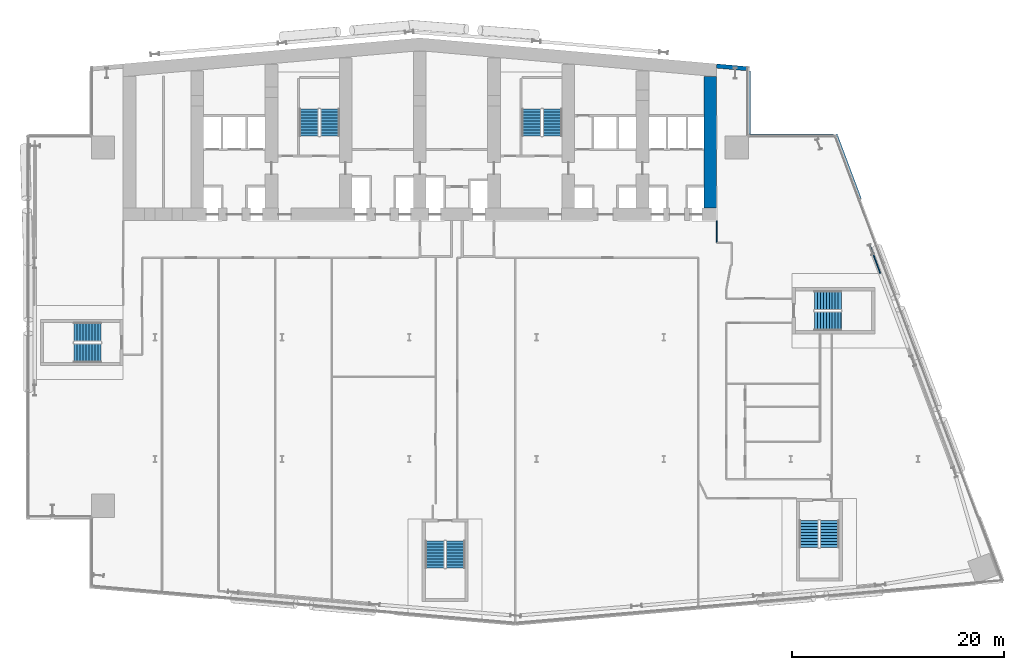
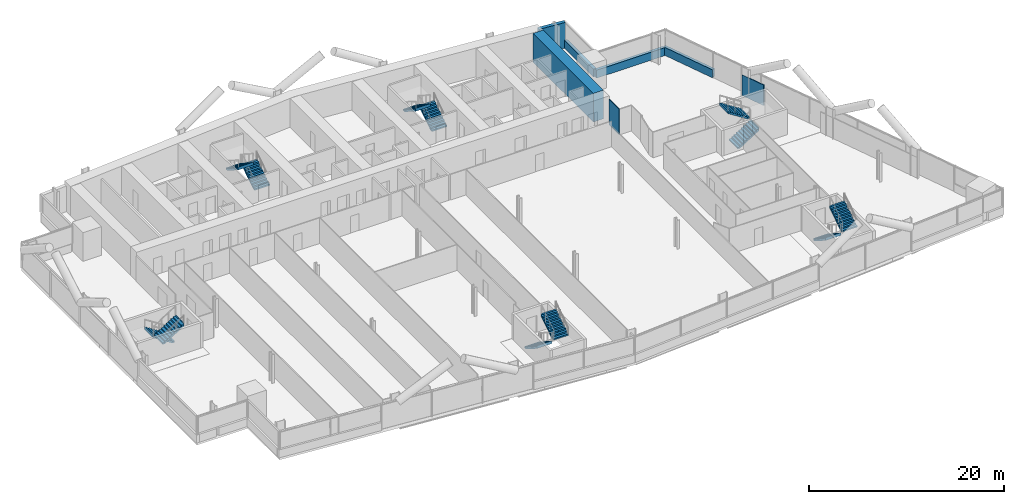
# One storey, part 17 of 24: 12 stair flights, 7 walls, 6 elements without a shape of their own.
"""IFC4 building model written with IfcOpenShell, lengths in metres."""

from ifc_helpers import new_model, si_unit, direction, frame, frame_2d, origin, place, context, subcontext, project, spatial, polyline, rectangle, outline, extrude, material, layer, layer_set, type_object, element, aggregate, save


model = new_model("IFC4")

# Units and contexts
model_context = context("Model", 3, precision=1e-05, world=origin(), true_north=direction((0.0, 1.0)))
body_context = subcontext(model_context, "Body", "Model", "MODEL_VIEW")
ifc_project = project(units=[si_unit("LENGTHUNIT", "METRE"), si_unit("AREAUNIT", "SQUARE_METRE"), si_unit("VOLUMEUNIT", "CUBIC_METRE"), si_unit("PLANEANGLEUNIT", "RADIAN"), si_unit("MASSUNIT", "GRAM", prefix="KILO")], contexts=[model_context])

# Site, building, storey
site_placement = place(None, origin())
site = spatial("IfcSite", under=ifc_project, at=site_placement, CompositionType="ELEMENT")
building_placement = place(site_placement, origin())
building = spatial("IfcBuilding", under=site, at=building_placement, Name="Wharfspan Tower", CompositionType="ELEMENT")
storey_placement = place(building_placement, frame((0.0, 0.0, 66.699951)))
storey = spatial("IfcBuildingStorey", under=building, at=storey_placement, Name="L13", CompositionType="ELEMENT", Elevation=66.699951)

# Walls
ifc_material_1 = material(Name="Gypsum board on steel studs", Category="steel")
ifc_layer_1 = layer(ifc_material_1, 0.100098)
ifc_layer_set_1 = layer_set([ifc_layer_1], Name="Gypsum board on steel studs")
wall_type_1 = type_object("IfcWallType", Name="Compartment wall 100 EI 60", PredefinedType="PARTITIONING", material=ifc_layer_set_1)
wall_1_placement = place(storey_placement, frame((65.0, 31.925049, 0.0), z_axis=(0.0, 0.0, 1.0), x_axis=(0.0, 1.0, 0.0)))
element("IfcWall", 1, at=wall_1_placement, inside=storey, type_object=wall_type_1, Name="Partition L13.w023", PredefinedType="PARTITIONING", context=body_context, shape_type="SweptSolid", body=[
    extrude(rectangle(XDim=2.054932, YDim=0.100098, at=frame_2d((1.027344, 0.0))), origin(), (0.0, 0.0, 1.0), 3.199951),
])
ifc_material_2 = material(Name="Concrete C70/85", Category="concrete")
ifc_layer_2 = layer(ifc_material_2, 1.199951)
ifc_layer_set_2 = layer_set([ifc_layer_2], Name="Concrete C70/85")
wall_type_2 = type_object("IfcWallType", Name="Core wall 1200 C70/85", PredefinedType="SHEAR", material=ifc_layer_set_2)
wall_2_placement = place(storey_placement, frame((64.399902, 35.199951, 0.0), z_axis=(0.0, 0.0, 1.0), x_axis=(0.0, 1.0, 0.0)))
element("IfcWall", 2, at=wall_2_placement, inside=storey, type_object=wall_type_2, Name="Core cross wall EW1 L13", PredefinedType="SHEAR", context=body_context, shape_type="SweptSolid", body=[
    extrude(rectangle(XDim=12.382812, YDim=1.199951, at=frame_2d((6.191406, 0.0))), origin(), (0.0, 0.0, 1.0), 3.600098),
])
ifc_layer_3 = layer(ifc_material_1, 0.100098)
ifc_layer_set_3 = layer_set([ifc_layer_3], Name="Gypsum board on steel studs")
wall_type_3 = type_object("IfcWallType", Name="Partition 100", PredefinedType="PARTITIONING", material=ifc_layer_set_3)
wall_3_placement = place(storey_placement, frame((80.44751, 29.02002, 0.0), z_axis=(0.0, 0.0, 1.0), x_axis=(-0.35129, 0.93627, 0.0)))
element("IfcWall", 3, at=wall_3_placement, inside=storey, type_object=wall_type_3, Name="Partition L13.w044", PredefinedType="PARTITIONING", context=body_context, shape_type="SweptSolid", body=[
    extrude(rectangle(XDim=2.910645, YDim=0.100098, at=frame_2d((1.455322, 0.0))), origin(), (0.0, 0.0, 1.0), 2.580078),
])
ifc_material_3 = material(Name="Concrete C40/50", Category="concrete")
ifc_layer_4 = layer(ifc_material_3, 0.350098)
ifc_layer_set_4 = layer_set([ifc_layer_4], Name="Concrete C40/50")
wall_type_4 = type_object("IfcWallType", Name="SPANDREL EXPOSED CONCRETE 350", PredefinedType="SOLIDWALL", material=ifc_layer_set_4)
wall_4_placement = place(storey_placement, frame((78.494141, 36.029785, 0.0), z_axis=(0.0, 0.0, 1.0), x_axis=(-0.351108, 0.936338, 0.0)))
element("IfcWall", 4, at=wall_4_placement, inside=storey, type_object=wall_type_4, Name="Spandrel upstand L13 E 2", PredefinedType="SOLIDWALL", context=body_context, shape_type="SweptSolid", body=[
    extrude(rectangle(XDim=6.50293, YDim=0.350098, at=frame_2d((3.251465, 0.0))), origin(), (0.0, 0.0, 1.0), 1.0),
])
wall_5_placement = place(storey_placement, frame((76.047119, 42.004883, 0.0), z_axis=(0.0, 0.0, 1.0), x_axis=(-1.0, 0.0, 0.0)))
element("IfcWall", 5, at=wall_5_placement, inside=storey, type_object=wall_type_4, Name="Spandrel upstand L13 NRE-H", PredefinedType="SOLIDWALL", context=body_context, shape_type="SweptSolid", body=[
    extrude(rectangle(XDim=8.047119, YDim=0.350098, at=frame_2d((4.023438, 0.0))), origin(), (0.0, 0.0, 1.0), 1.0),
])
wall_6_placement = place(storey_placement, frame((68.004883, 42.179932, 0.0), z_axis=(0.0, 0.0, 1.0), x_axis=(0.0, 1.0, 0.0)))
element("IfcWall", 6, at=wall_6_placement, inside=storey, type_object=wall_type_4, Name="Spandrel upstand L13 NRE-V", PredefinedType="SOLIDWALL", context=body_context, shape_type="SweptSolid", body=[
    extrude(rectangle(XDim=5.946533, YDim=0.350098, at=frame_2d((2.973145, 0.0))), origin(), (0.0, 0.0, 1.0), 1.0),
])
ifc_layer_5 = layer(ifc_material_3, 0.399902)
ifc_layer_set_5 = layer_set([ifc_layer_5], Name="Concrete C40/50")
wall_type_5 = type_object("IfcWallType", Name="WALL EXPOSED CONCRETE 400", PredefinedType="SOLIDWALL", material=ifc_layer_set_5)
wall_7_placement = place(storey_placement, frame((67.982666, 48.325684, 0.0), z_axis=(0.0, 0.0, 1.0), x_axis=(-0.996194, 0.087168, 0.0)))
element("IfcWall", 7, at=wall_7_placement, inside=storey, type_object=wall_type_5, Name="Rear wall N2", PredefinedType="SOLIDWALL", context=body_context, shape_type="SweptSolid", body=[
    extrude(rectangle(XDim=2.994141, YDim=0.399902, at=frame_2d((1.49707, 0.0))), origin(), (0.0, 0.0, 1.0), 3.199951),
])

# Stair, stair flights
stair_type = type_object("IfcStairType", Name="Half-turn stair 20 risers 180 mm", PredefinedType="HALF_TURN_STAIR", material=ifc_material_3)
stair_1_placement = place(storey_placement, origin())
stair_1 = element("IfcStair", 8, at=stair_1_placement, inside=storey, type_object=stair_type, Name="L13 stair ST1", PredefinedType="HALF_TURN_STAIR")
stair_flight_type = type_object("IfcStairFlightType", Name="Stair flight 20 risers 180 mm", PredefinedType="STRAIGHT", material=ifc_material_3)
stair_flight_1_placement = place(storey_placement, frame((28.5, 42.0, 0.0), z_axis=(0.0, 0.0, 1.0), x_axis=(0.0, 1.0, 0.0)))
stair_flight_1 = element("IfcStairFlight", 9, at=stair_flight_1_placement, type_object=stair_flight_type, Name="ST1 flight 1", NumberOfRisers=10, NumberOfTreads=9, PredefinedType="STRAIGHT", RiserHeight=0.18, TreadLength=0.28, context=body_context, shape_type="SweptSolid", body=[
    extrude(outline(polyline([(-0.011963, 0.0), (-0.011963, 0.179932), (0.0, 0.179932), (0.280029, 0.179932), (0.280029, 0.360107), (0.560059, 0.360107), (0.560059, 0.540039), (0.840088, 0.540039), (0.840088, 0.719971), (1.120117, 0.719971), (1.120117, 0.899902), (1.399902, 0.899902), (1.399902, 1.080078), (1.679932, 1.080078), (1.679932, 1.26001), (1.959961, 1.26001), (1.959961, 1.439941), (2.23999, 1.439941), (2.23999, 1.620117), (2.52002, 1.620117), (2.531982, 1.800049), (2.531982, 1.441895), (0.2771, 0.0), (-0.011963, 0.0)])), frame((0.0, 0.899902, 0.0), z_axis=(0.0, -1.0, 0.0), x_axis=(1.0, 0.0, 0.0)), (0.0, 0.0, 1.0), 0.899414),
    extrude(outline(polyline([(-0.011963, 0.0), (-0.011963, 0.179932), (0.0, 0.179932), (0.280029, 0.179932), (0.280029, 0.360107), (0.560059, 0.360107), (0.560059, 0.540039), (0.840088, 0.540039), (0.840088, 0.719971), (1.120117, 0.719971), (1.120117, 0.899902), (1.399902, 0.899902), (1.399902, 1.080078), (1.679932, 1.080078), (1.679932, 1.26001), (1.959961, 1.26001), (1.959961, 1.439941), (2.23999, 1.439941), (2.23999, 1.620117), (2.52002, 1.620117), (2.531982, 1.800049), (2.531982, 1.441895), (0.2771, 0.0), (-0.011963, 0.0)])), frame((0.0, -0.000488, 0.0), z_axis=(0.0, -1.0, 0.0), x_axis=(1.0, 0.0, 0.0)), (0.0, 0.0, 1.0), 0.899414),
])
stair_flight_2_placement = place(storey_placement, frame((26.550049, 44.52002, 1.800049), z_axis=(0.0, 0.0, 1.0), x_axis=(0.0, -1.0, 0.0)))
stair_flight_2 = element("IfcStairFlight", 10, at=stair_flight_2_placement, type_object=stair_flight_type, Name="ST1 flight 2", NumberOfRisers=10, NumberOfTreads=9, PredefinedType="STRAIGHT", RiserHeight=0.18, TreadLength=0.28, context=body_context, shape_type="SweptSolid", body=[
    extrude(outline(polyline([(-0.011963, 0.0), (-0.011963, 0.179932), (0.0, 0.179932), (0.280029, 0.179932), (0.280029, 0.360107), (0.560059, 0.360107), (0.560059, 0.540039), (0.840088, 0.540039), (0.840088, 0.719971), (1.120117, 0.719971), (1.120117, 0.899902), (1.399902, 0.899902), (1.399902, 1.080078), (1.679932, 1.080078), (1.679932, 1.26001), (1.959961, 1.26001), (1.959961, 1.439941), (2.23999, 1.439941), (2.23999, 1.620117), (2.52002, 1.620117), (2.531982, 1.800049), (2.531982, 1.441895), (0.2771, 0.0), (-0.011963, 0.0)])), frame((0.0, 0.899902, 0.0), z_axis=(0.0, -1.0, 0.0), x_axis=(1.0, 0.0, 0.0)), (0.0, 0.0, 1.0), 0.899414),
    extrude(outline(polyline([(-0.011963, 0.0), (-0.011963, 0.179932), (0.0, 0.179932), (0.280029, 0.179932), (0.280029, 0.360107), (0.560059, 0.360107), (0.560059, 0.540039), (0.840088, 0.540039), (0.840088, 0.719971), (1.120117, 0.719971), (1.120117, 0.899902), (1.399902, 0.899902), (1.399902, 1.080078), (1.679932, 1.080078), (1.679932, 1.26001), (1.959961, 1.26001), (1.959961, 1.439941), (2.23999, 1.439941), (2.23999, 1.620117), (2.52002, 1.620117), (2.531982, 1.800049), (2.531982, 1.441895), (0.2771, 0.0), (-0.011963, 0.0)])), frame((0.0, -0.000488, 0.0), z_axis=(0.0, -1.0, 0.0), x_axis=(1.0, 0.0, 0.0)), (0.0, 0.0, 1.0), 0.899414),
])
aggregate(stair_1, [stair_flight_1, stair_flight_2])

stair_2_placement = place(storey_placement, origin())
stair_2 = element("IfcStair", 11, at=stair_2_placement, inside=storey, type_object=stair_type, Name="L13 stair ST2", PredefinedType="HALF_TURN_STAIR")
stair_flight_3_placement = place(storey_placement, frame((49.5, 42.0, 0.0), z_axis=(0.0, 0.0, 1.0), x_axis=(0.0, 1.0, 0.0)))
stair_flight_3 = element("IfcStairFlight", 12, at=stair_flight_3_placement, type_object=stair_flight_type, Name="ST2 flight 1", NumberOfRisers=10, NumberOfTreads=9, PredefinedType="STRAIGHT", RiserHeight=0.18, TreadLength=0.28, context=body_context, shape_type="SweptSolid", body=[
    extrude(outline(polyline([(-0.011963, 0.0), (-0.011963, 0.179932), (0.0, 0.179932), (0.280029, 0.179932), (0.280029, 0.360107), (0.560059, 0.360107), (0.560059, 0.540039), (0.840088, 0.540039), (0.840088, 0.719971), (1.120117, 0.719971), (1.120117, 0.899902), (1.399902, 0.899902), (1.399902, 1.080078), (1.679932, 1.080078), (1.679932, 1.26001), (1.959961, 1.26001), (1.959961, 1.439941), (2.23999, 1.439941), (2.23999, 1.620117), (2.52002, 1.620117), (2.531982, 1.800049), (2.531982, 1.441895), (0.2771, 0.0), (-0.011963, 0.0)])), frame((0.0, 0.899902, 0.0), z_axis=(0.0, -1.0, 0.0), x_axis=(1.0, 0.0, 0.0)), (0.0, 0.0, 1.0), 0.899414),
    extrude(outline(polyline([(-0.011963, 0.0), (-0.011963, 0.179932), (0.0, 0.179932), (0.280029, 0.179932), (0.280029, 0.360107), (0.560059, 0.360107), (0.560059, 0.540039), (0.840088, 0.540039), (0.840088, 0.719971), (1.120117, 0.719971), (1.120117, 0.899902), (1.399902, 0.899902), (1.399902, 1.080078), (1.679932, 1.080078), (1.679932, 1.26001), (1.959961, 1.26001), (1.959961, 1.439941), (2.23999, 1.439941), (2.23999, 1.620117), (2.52002, 1.620117), (2.531982, 1.800049), (2.531982, 1.441895), (0.2771, 0.0), (-0.011963, 0.0)])), frame((0.0, -0.000488, 0.0), z_axis=(0.0, -1.0, 0.0), x_axis=(1.0, 0.0, 0.0)), (0.0, 0.0, 1.0), 0.899414),
])
stair_flight_4_placement = place(storey_placement, frame((47.550049, 44.52002, 1.800049), z_axis=(0.0, 0.0, 1.0), x_axis=(0.0, -1.0, 0.0)))
stair_flight_4 = element("IfcStairFlight", 13, at=stair_flight_4_placement, type_object=stair_flight_type, Name="ST2 flight 2", NumberOfRisers=10, NumberOfTreads=9, PredefinedType="STRAIGHT", RiserHeight=0.18, TreadLength=0.28, context=body_context, shape_type="SweptSolid", body=[
    extrude(outline(polyline([(-0.011963, 0.0), (-0.011963, 0.179932), (0.0, 0.179932), (0.280029, 0.179932), (0.280029, 0.360107), (0.560059, 0.360107), (0.560059, 0.540039), (0.840088, 0.540039), (0.840088, 0.719971), (1.120117, 0.719971), (1.120117, 0.899902), (1.399902, 0.899902), (1.399902, 1.080078), (1.679932, 1.080078), (1.679932, 1.26001), (1.959961, 1.26001), (1.959961, 1.439941), (2.23999, 1.439941), (2.23999, 1.620117), (2.52002, 1.620117), (2.531982, 1.800049), (2.531982, 1.441895), (0.2771, 0.0), (-0.011963, 0.0)])), frame((0.0, 0.899902, 0.0), z_axis=(0.0, -1.0, 0.0), x_axis=(1.0, 0.0, 0.0)), (0.0, 0.0, 1.0), 0.899414),
    extrude(outline(polyline([(-0.011963, 0.0), (-0.011963, 0.179932), (0.0, 0.179932), (0.280029, 0.179932), (0.280029, 0.360107), (0.560059, 0.360107), (0.560059, 0.540039), (0.840088, 0.540039), (0.840088, 0.719971), (1.120117, 0.719971), (1.120117, 0.899902), (1.399902, 0.899902), (1.399902, 1.080078), (1.679932, 1.080078), (1.679932, 1.26001), (1.959961, 1.26001), (1.959961, 1.439941), (2.23999, 1.439941), (2.23999, 1.620117), (2.52002, 1.620117), (2.531982, 1.800049), (2.531982, 1.441895), (0.2771, 0.0), (-0.011963, 0.0)])), frame((0.0, -0.000488, 0.0), z_axis=(0.0, -1.0, 0.0), x_axis=(1.0, 0.0, 0.0)), (0.0, 0.0, 1.0), 0.899414),
])
aggregate(stair_2, [stair_flight_3, stair_flight_4])

stair_3_placement = place(storey_placement, origin())
stair_3 = element("IfcStair", 14, at=stair_3_placement, inside=storey, type_object=stair_type, Name="L13 stair ST3", PredefinedType="HALF_TURN_STAIR")
stair_flight_5_placement = place(storey_placement, frame((6.899902, 23.475098, 0.0), z_axis=(0.0, 0.0, 1.0), x_axis=(-1.0, 0.0, 0.0)))
stair_flight_5 = element("IfcStairFlight", 15, at=stair_flight_5_placement, type_object=stair_flight_type, Name="ST3 flight 1", NumberOfRisers=10, NumberOfTreads=9, PredefinedType="STRAIGHT", RiserHeight=0.18, TreadLength=0.28, context=body_context, shape_type="SweptSolid", body=[
    extrude(outline(polyline([(-0.011963, 0.0), (-0.011963, 0.179932), (0.0, 0.179932), (0.280029, 0.179932), (0.280029, 0.360107), (0.560059, 0.360107), (0.560059, 0.540039), (0.840088, 0.540039), (0.840088, 0.719971), (1.120117, 0.719971), (1.120117, 0.899902), (1.399902, 0.899902), (1.399902, 1.080078), (1.679932, 1.080078), (1.679932, 1.26001), (1.959961, 1.26001), (1.959961, 1.439941), (2.23999, 1.439941), (2.23999, 1.620117), (2.52002, 1.620117), (2.531982, 1.800049), (2.531982, 1.441895), (0.2771, 0.0), (-0.011963, 0.0)])), frame((0.0, 0.899902, 0.0), z_axis=(0.0, -1.0, 0.0), x_axis=(1.0, 0.0, 0.0)), (0.0, 0.0, 1.0), 0.899414),
    extrude(outline(polyline([(-0.011963, 0.0), (-0.011963, 0.179932), (0.0, 0.179932), (0.280029, 0.179932), (0.280029, 0.360107), (0.560059, 0.360107), (0.560059, 0.540039), (0.840088, 0.540039), (0.840088, 0.719971), (1.120117, 0.719971), (1.120117, 0.899902), (1.399902, 0.899902), (1.399902, 1.080078), (1.679932, 1.080078), (1.679932, 1.26001), (1.959961, 1.26001), (1.959961, 1.439941), (2.23999, 1.439941), (2.23999, 1.620117), (2.52002, 1.620117), (2.531982, 1.800049), (2.531982, 1.441895), (0.2771, 0.0), (-0.011963, 0.0)])), frame((0.0, -0.000488, 0.0), z_axis=(0.0, -1.0, 0.0), x_axis=(1.0, 0.0, 0.0)), (0.0, 0.0, 1.0), 0.899414),
])
stair_flight_6_placement = place(storey_placement, frame((4.379883, 21.524902, 1.800049), z_axis=(0.0, 0.0, 1.0), x_axis=(1.0, 0.0, 0.0)))
stair_flight_6 = element("IfcStairFlight", 16, at=stair_flight_6_placement, type_object=stair_flight_type, Name="ST3 flight 2", NumberOfRisers=10, NumberOfTreads=9, PredefinedType="STRAIGHT", RiserHeight=0.18, TreadLength=0.28, context=body_context, shape_type="SweptSolid", body=[
    extrude(outline(polyline([(-0.011963, 0.0), (-0.011963, 0.179932), (0.0, 0.179932), (0.280029, 0.179932), (0.280029, 0.360107), (0.560059, 0.360107), (0.560059, 0.540039), (0.840088, 0.540039), (0.840088, 0.719971), (1.120117, 0.719971), (1.120117, 0.899902), (1.399902, 0.899902), (1.399902, 1.080078), (1.679932, 1.080078), (1.679932, 1.26001), (1.959961, 1.26001), (1.959961, 1.439941), (2.23999, 1.439941), (2.23999, 1.620117), (2.52002, 1.620117), (2.531982, 1.800049), (2.531982, 1.441895), (0.2771, 0.0), (-0.011963, 0.0)])), frame((0.0, 0.899902, 0.0), z_axis=(0.0, -1.0, 0.0), x_axis=(1.0, 0.0, 0.0)), (0.0, 0.0, 1.0), 0.899414),
    extrude(outline(polyline([(-0.011963, 0.0), (-0.011963, 0.179932), (0.0, 0.179932), (0.280029, 0.179932), (0.280029, 0.360107), (0.560059, 0.360107), (0.560059, 0.540039), (0.840088, 0.540039), (0.840088, 0.719971), (1.120117, 0.719971), (1.120117, 0.899902), (1.399902, 0.899902), (1.399902, 1.080078), (1.679932, 1.080078), (1.679932, 1.26001), (1.959961, 1.26001), (1.959961, 1.439941), (2.23999, 1.439941), (2.23999, 1.620117), (2.52002, 1.620117), (2.531982, 1.800049), (2.531982, 1.441895), (0.2771, 0.0), (-0.011963, 0.0)])), frame((0.0, -0.000488, 0.0), z_axis=(0.0, -1.0, 0.0), x_axis=(1.0, 0.0, 0.0)), (0.0, 0.0, 1.0), 0.899414),
])
aggregate(stair_3, [stair_flight_5, stair_flight_6])

stair_4_placement = place(storey_placement, origin())
stair_4 = element("IfcStair", 17, at=stair_4_placement, inside=storey, type_object=stair_type, Name="L13 stair ST4", PredefinedType="HALF_TURN_STAIR")
stair_flight_7_placement = place(storey_placement, frame((38.408203, 3.760498, 0.0), z_axis=(0.0, 0.0, 1.0), x_axis=(0.0, -1.0, 0.0)))
stair_flight_7 = element("IfcStairFlight", 18, at=stair_flight_7_placement, type_object=stair_flight_type, Name="ST4 flight 1", NumberOfRisers=10, NumberOfTreads=9, PredefinedType="STRAIGHT", RiserHeight=0.18, TreadLength=0.28, context=body_context, shape_type="SweptSolid", body=[
    extrude(outline(polyline([(-0.011963, 0.0), (-0.011963, 0.179932), (0.0, 0.179932), (0.280029, 0.179932), (0.280029, 0.360107), (0.560059, 0.360107), (0.560059, 0.540039), (0.840088, 0.540039), (0.840088, 0.719971), (1.120117, 0.719971), (1.120117, 0.899902), (1.399902, 0.899902), (1.399902, 1.080078), (1.679932, 1.080078), (1.679932, 1.26001), (1.959961, 1.26001), (1.959961, 1.439941), (2.23999, 1.439941), (2.23999, 1.620117), (2.52002, 1.620117), (2.531982, 1.800049), (2.531982, 1.441895), (0.2771, 0.0), (-0.011963, 0.0)])), frame((0.0, 0.899902, 0.0), z_axis=(0.0, -1.0, 0.0), x_axis=(1.0, 0.0, 0.0)), (0.0, 0.0, 1.0), 0.899414),
    extrude(outline(polyline([(-0.011963, 0.0), (-0.011963, 0.179932), (0.0, 0.179932), (0.280029, 0.179932), (0.280029, 0.360107), (0.560059, 0.360107), (0.560059, 0.540039), (0.840088, 0.540039), (0.840088, 0.719971), (1.120117, 0.719971), (1.120117, 0.899902), (1.399902, 0.899902), (1.399902, 1.080078), (1.679932, 1.080078), (1.679932, 1.26001), (1.959961, 1.26001), (1.959961, 1.439941), (2.23999, 1.439941), (2.23999, 1.620117), (2.52002, 1.620117), (2.531982, 1.800049), (2.531982, 1.441895), (0.2771, 0.0), (-0.011963, 0.0)])), frame((0.0, -0.000488, 0.0), z_axis=(0.0, -1.0, 0.0), x_axis=(1.0, 0.0, 0.0)), (0.0, 0.0, 1.0), 0.899414),
])
stair_flight_8_placement = place(storey_placement, frame((40.358398, 1.240723, 1.800049), z_axis=(0.0, 0.0, 1.0), x_axis=(0.0, 1.0, 0.0)))
stair_flight_8 = element("IfcStairFlight", 19, at=stair_flight_8_placement, type_object=stair_flight_type, Name="ST4 flight 2", NumberOfRisers=10, NumberOfTreads=9, PredefinedType="STRAIGHT", RiserHeight=0.18, TreadLength=0.28, context=body_context, shape_type="SweptSolid", body=[
    extrude(outline(polyline([(-0.011963, 0.0), (-0.011963, 0.179932), (0.0, 0.179932), (0.280029, 0.179932), (0.280029, 0.360107), (0.560059, 0.360107), (0.560059, 0.540039), (0.840088, 0.540039), (0.840088, 0.719971), (1.120117, 0.719971), (1.120117, 0.899902), (1.399902, 0.899902), (1.399902, 1.080078), (1.679932, 1.080078), (1.679932, 1.26001), (1.959961, 1.26001), (1.959961, 1.439941), (2.23999, 1.439941), (2.23999, 1.620117), (2.52002, 1.620117), (2.531982, 1.800049), (2.531982, 1.441895), (0.2771, 0.0), (-0.011963, 0.0)])), frame((0.0, 0.899902, 0.0), z_axis=(0.0, -1.0, 0.0), x_axis=(1.0, 0.0, 0.0)), (0.0, 0.0, 1.0), 0.899414),
    extrude(outline(polyline([(-0.011963, 0.0), (-0.011963, 0.179932), (0.0, 0.179932), (0.280029, 0.179932), (0.280029, 0.360107), (0.560059, 0.360107), (0.560059, 0.540039), (0.840088, 0.540039), (0.840088, 0.719971), (1.120117, 0.719971), (1.120117, 0.899902), (1.399902, 0.899902), (1.399902, 1.080078), (1.679932, 1.080078), (1.679932, 1.26001), (1.959961, 1.26001), (1.959961, 1.439941), (2.23999, 1.439941), (2.23999, 1.620117), (2.52002, 1.620117), (2.531982, 1.800049), (2.531982, 1.441895), (0.2771, 0.0), (-0.011963, 0.0)])), frame((0.0, -0.000488, 0.0), z_axis=(0.0, -1.0, 0.0), x_axis=(1.0, 0.0, 0.0)), (0.0, 0.0, 1.0), 0.899414),
])
aggregate(stair_4, [stair_flight_7, stair_flight_8])

stair_5_placement = place(storey_placement, origin())
stair_5 = element("IfcStair", 20, at=stair_5_placement, inside=storey, type_object=stair_type, Name="L13 stair ST5", PredefinedType="HALF_TURN_STAIR")
stair_flight_9_placement = place(storey_placement, frame((73.717529, 5.691895, 0.0), z_axis=(0.0, 0.0, 1.0), x_axis=(0.0, -1.0, 0.0)))
stair_flight_9 = element("IfcStairFlight", 21, at=stair_flight_9_placement, type_object=stair_flight_type, Name="ST5 flight 1", NumberOfRisers=10, NumberOfTreads=9, PredefinedType="STRAIGHT", RiserHeight=0.18, TreadLength=0.28, context=body_context, shape_type="SweptSolid", body=[
    extrude(outline(polyline([(-0.011963, 0.0), (-0.011963, 0.179932), (0.0, 0.179932), (0.280029, 0.179932), (0.280029, 0.360107), (0.560059, 0.360107), (0.560059, 0.540039), (0.840088, 0.540039), (0.840088, 0.719971), (1.120117, 0.719971), (1.120117, 0.899902), (1.399902, 0.899902), (1.399902, 1.080078), (1.679932, 1.080078), (1.679932, 1.26001), (1.959961, 1.26001), (1.959961, 1.439941), (2.23999, 1.439941), (2.23999, 1.620117), (2.52002, 1.620117), (2.531982, 1.800049), (2.531982, 1.441895), (0.2771, 0.0), (-0.011963, 0.0)])), frame((0.0, 0.899902, 0.0), z_axis=(0.0, -1.0, 0.0), x_axis=(1.0, 0.0, 0.0)), (0.0, 0.0, 1.0), 0.899414),
    extrude(outline(polyline([(-0.011963, 0.0), (-0.011963, 0.179932), (0.0, 0.179932), (0.280029, 0.179932), (0.280029, 0.360107), (0.560059, 0.360107), (0.560059, 0.540039), (0.840088, 0.540039), (0.840088, 0.719971), (1.120117, 0.719971), (1.120117, 0.899902), (1.399902, 0.899902), (1.399902, 1.080078), (1.679932, 1.080078), (1.679932, 1.26001), (1.959961, 1.26001), (1.959961, 1.439941), (2.23999, 1.439941), (2.23999, 1.620117), (2.52002, 1.620117), (2.531982, 1.800049), (2.531982, 1.441895), (0.2771, 0.0), (-0.011963, 0.0)])), frame((0.0, -0.000488, 0.0), z_axis=(0.0, -1.0, 0.0), x_axis=(1.0, 0.0, 0.0)), (0.0, 0.0, 1.0), 0.899414),
])
stair_flight_10_placement = place(storey_placement, frame((75.66748, 3.172119, 1.800049), z_axis=(0.0, 0.0, 1.0), x_axis=(0.0, 1.0, 0.0)))
stair_flight_10 = element("IfcStairFlight", 22, at=stair_flight_10_placement, type_object=stair_flight_type, Name="ST5 flight 2", NumberOfRisers=10, NumberOfTreads=9, PredefinedType="STRAIGHT", RiserHeight=0.18, TreadLength=0.28, context=body_context, shape_type="SweptSolid", body=[
    extrude(outline(polyline([(-0.011963, 0.0), (-0.011963, 0.179932), (0.0, 0.179932), (0.280029, 0.179932), (0.280029, 0.360107), (0.560059, 0.360107), (0.560059, 0.540039), (0.840088, 0.540039), (0.840088, 0.719971), (1.120117, 0.719971), (1.120117, 0.899902), (1.399902, 0.899902), (1.399902, 1.080078), (1.679932, 1.080078), (1.679932, 1.26001), (1.959961, 1.26001), (1.959961, 1.439941), (2.23999, 1.439941), (2.23999, 1.620117), (2.52002, 1.620117), (2.531982, 1.800049), (2.531982, 1.441895), (0.2771, 0.0), (-0.011963, 0.0)])), frame((0.0, 0.899902, 0.0), z_axis=(0.0, -1.0, 0.0), x_axis=(1.0, 0.0, 0.0)), (0.0, 0.0, 1.0), 0.899414),
    extrude(outline(polyline([(-0.011963, 0.0), (-0.011963, 0.179932), (0.0, 0.179932), (0.280029, 0.179932), (0.280029, 0.360107), (0.560059, 0.360107), (0.560059, 0.540039), (0.840088, 0.540039), (0.840088, 0.719971), (1.120117, 0.719971), (1.120117, 0.899902), (1.399902, 0.899902), (1.399902, 1.080078), (1.679932, 1.080078), (1.679932, 1.26001), (1.959961, 1.26001), (1.959961, 1.439941), (2.23999, 1.439941), (2.23999, 1.620117), (2.52002, 1.620117), (2.531982, 1.800049), (2.531982, 1.441895), (0.2771, 0.0), (-0.011963, 0.0)])), frame((0.0, -0.000488, 0.0), z_axis=(0.0, -1.0, 0.0), x_axis=(1.0, 0.0, 0.0)), (0.0, 0.0, 1.0), 0.899414),
])
aggregate(stair_5, [stair_flight_9, stair_flight_10])

stair_6_placement = place(storey_placement, origin())
stair_6 = element("IfcStair", 23, at=stair_6_placement, inside=storey, type_object=stair_type, Name="L13 stair ST6", PredefinedType="HALF_TURN_STAIR")
stair_flight_11_placement = place(storey_placement, frame((74.225098, 24.524902, 0.0), z_axis=(0.0, 0.0, 1.0), x_axis=(1.0, 0.0, 0.0)))
stair_flight_11 = element("IfcStairFlight", 24, at=stair_flight_11_placement, type_object=stair_flight_type, Name="ST6 flight 1", NumberOfRisers=10, NumberOfTreads=9, PredefinedType="STRAIGHT", RiserHeight=0.18, TreadLength=0.28, context=body_context, shape_type="SweptSolid", body=[
    extrude(outline(polyline([(-0.011963, 0.0), (-0.011963, 0.179932), (0.0, 0.179932), (0.280029, 0.179932), (0.280029, 0.360107), (0.560059, 0.360107), (0.560059, 0.540039), (0.840088, 0.540039), (0.840088, 0.719971), (1.120117, 0.719971), (1.120117, 0.899902), (1.399902, 0.899902), (1.399902, 1.080078), (1.679932, 1.080078), (1.679932, 1.26001), (1.959961, 1.26001), (1.959961, 1.439941), (2.23999, 1.439941), (2.23999, 1.620117), (2.52002, 1.620117), (2.531982, 1.800049), (2.531982, 1.441895), (0.2771, 0.0), (-0.011963, 0.0)])), frame((0.0, 0.899902, 0.0), z_axis=(0.0, -1.0, 0.0), x_axis=(1.0, 0.0, 0.0)), (0.0, 0.0, 1.0), 0.899414),
    extrude(outline(polyline([(-0.011963, 0.0), (-0.011963, 0.179932), (0.0, 0.179932), (0.280029, 0.179932), (0.280029, 0.360107), (0.560059, 0.360107), (0.560059, 0.540039), (0.840088, 0.540039), (0.840088, 0.719971), (1.120117, 0.719971), (1.120117, 0.899902), (1.399902, 0.899902), (1.399902, 1.080078), (1.679932, 1.080078), (1.679932, 1.26001), (1.959961, 1.26001), (1.959961, 1.439941), (2.23999, 1.439941), (2.23999, 1.620117), (2.52002, 1.620117), (2.531982, 1.800049), (2.531982, 1.441895), (0.2771, 0.0), (-0.011963, 0.0)])), frame((0.0, -0.000488, 0.0), z_axis=(0.0, -1.0, 0.0), x_axis=(1.0, 0.0, 0.0)), (0.0, 0.0, 1.0), 0.899414),
])
stair_flight_12_placement = place(storey_placement, frame((76.745117, 26.475098, 1.800049), z_axis=(0.0, 0.0, 1.0), x_axis=(-1.0, 0.0, 0.0)))
stair_flight_12 = element("IfcStairFlight", 25, at=stair_flight_12_placement, type_object=stair_flight_type, Name="ST6 flight 2", NumberOfRisers=10, NumberOfTreads=9, PredefinedType="STRAIGHT", RiserHeight=0.18, TreadLength=0.28, context=body_context, shape_type="SweptSolid", body=[
    extrude(outline(polyline([(-0.011963, 0.0), (-0.011963, 0.179932), (0.0, 0.179932), (0.280029, 0.179932), (0.280029, 0.360107), (0.560059, 0.360107), (0.560059, 0.540039), (0.840088, 0.540039), (0.840088, 0.719971), (1.120117, 0.719971), (1.120117, 0.899902), (1.399902, 0.899902), (1.399902, 1.080078), (1.679932, 1.080078), (1.679932, 1.26001), (1.959961, 1.26001), (1.959961, 1.439941), (2.23999, 1.439941), (2.23999, 1.620117), (2.52002, 1.620117), (2.531982, 1.800049), (2.531982, 1.441895), (0.2771, 0.0), (-0.011963, 0.0)])), frame((0.0, 0.899902, 0.0), z_axis=(0.0, -1.0, 0.0), x_axis=(1.0, 0.0, 0.0)), (0.0, 0.0, 1.0), 0.899414),
    extrude(outline(polyline([(-0.011963, 0.0), (-0.011963, 0.179932), (0.0, 0.179932), (0.280029, 0.179932), (0.280029, 0.360107), (0.560059, 0.360107), (0.560059, 0.540039), (0.840088, 0.540039), (0.840088, 0.719971), (1.120117, 0.719971), (1.120117, 0.899902), (1.399902, 0.899902), (1.399902, 1.080078), (1.679932, 1.080078), (1.679932, 1.26001), (1.959961, 1.26001), (1.959961, 1.439941), (2.23999, 1.439941), (2.23999, 1.620117), (2.52002, 1.620117), (2.531982, 1.800049), (2.531982, 1.441895), (0.2771, 0.0), (-0.011963, 0.0)])), frame((0.0, -0.000488, 0.0), z_axis=(0.0, -1.0, 0.0), x_axis=(1.0, 0.0, 0.0)), (0.0, 0.0, 1.0), 0.899414),
])
aggregate(stair_6, [stair_flight_11, stair_flight_12])

save(model, "model.ifc")
